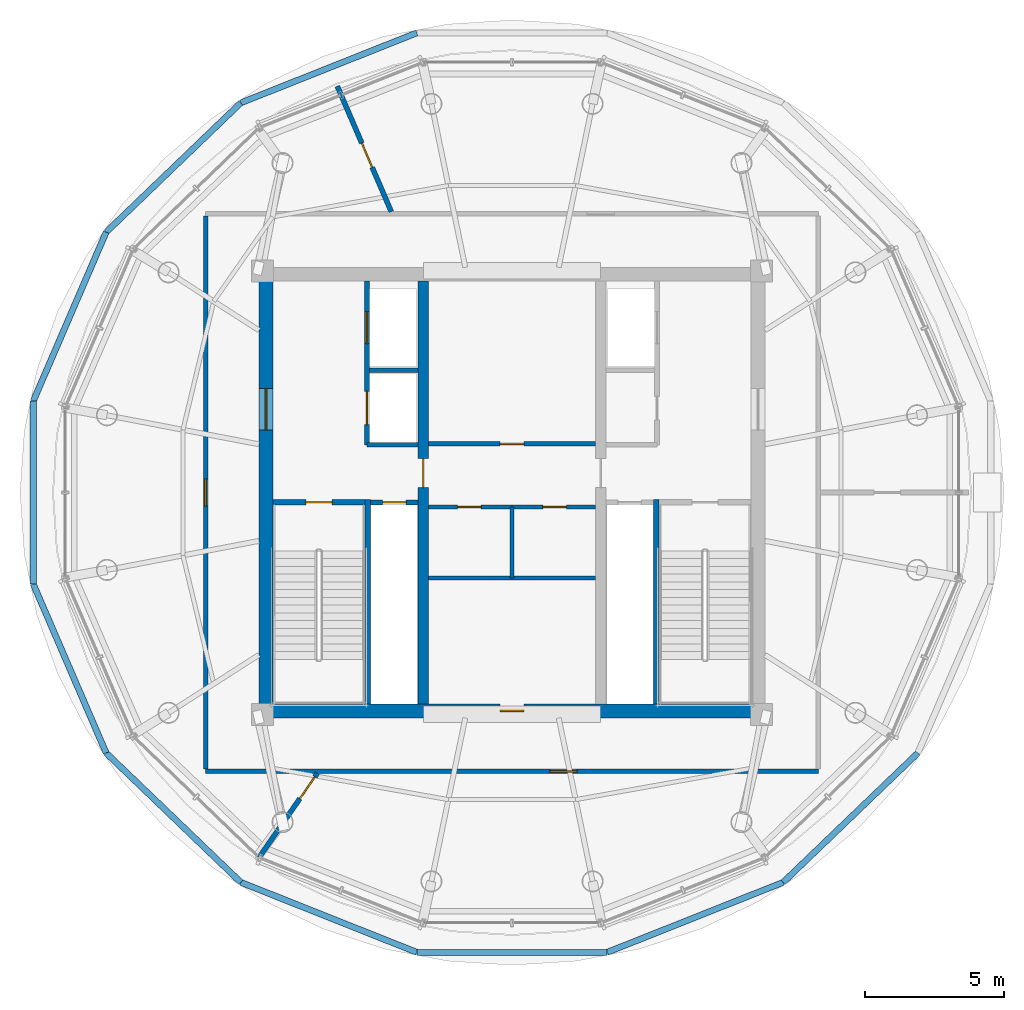
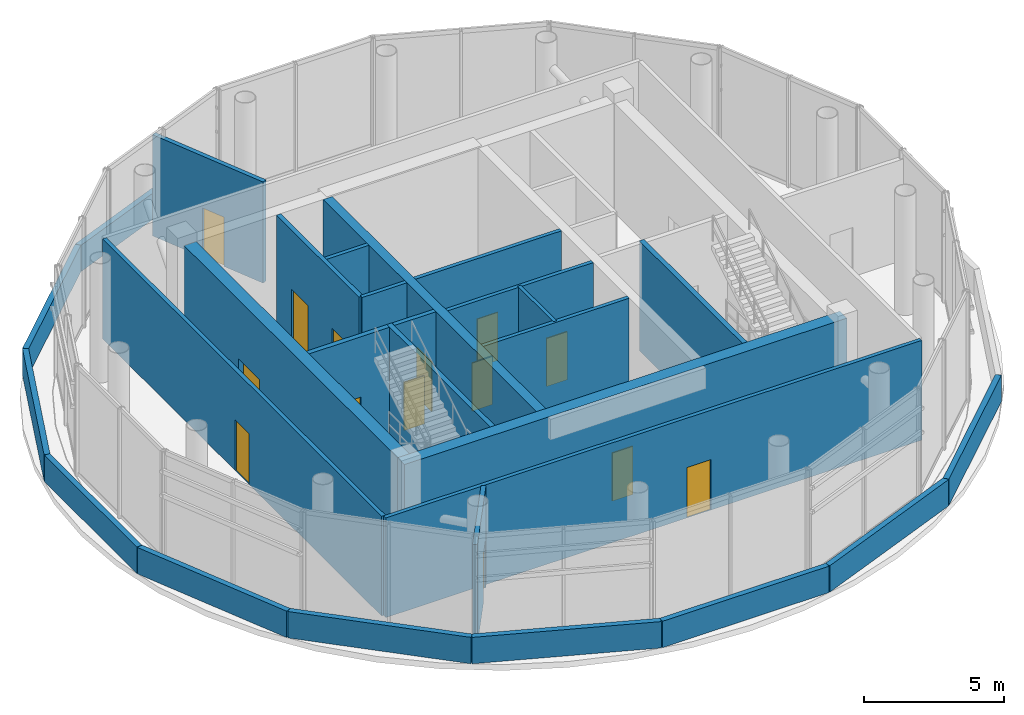
# One storey, part 10 of 14: 28 walls, 14 doors, 14 openings.
"""IFC4 building model written with IfcOpenShell, lengths in metres."""

from ifc_helpers import new_model, si_unit, direction, frame, frame_2d, origin, place, context, subcontext, project, spatial, rectangle, extrude, source, transform, mapped, material, layer, layer_set, type_object, element, fill, save


model = new_model("IFC4")

# Units and contexts
model_context = context("Model", 3, precision=1e-05, world=origin(), true_north=direction((-0.2419218956, 0.970295726276)))
body_context = subcontext(model_context, "Body", "Model", "MODEL_VIEW")
ifc_project = project(units=[si_unit("LENGTHUNIT", "METRE"), si_unit("AREAUNIT", "SQUARE_METRE"), si_unit("VOLUMEUNIT", "CUBIC_METRE"), si_unit("PLANEANGLEUNIT", "RADIAN"), si_unit("MASSUNIT", "GRAM", prefix="KILO")], contexts=[model_context])

# Site, building, storey
site_placement = place(None, origin())
site = spatial("IfcSite", under=ifc_project, at=site_placement, CompositionType="ELEMENT")
building_placement = place(site_placement, origin())
building = spatial("IfcBuilding", under=site, at=building_placement, Name="Cobrevalo Terracotta Tower", CompositionType="ELEMENT")
storey_placement = place(building_placement, frame((0.0, 0.0, 321.699951171875)))
storey = spatial("IfcBuildingStorey", under=building, at=storey_placement, Name="L83", CompositionType="ELEMENT", Elevation=321.699951171875)

# Wall, opening, door
ifc_material_1 = material(Name="Concrete C50", Category="concrete")
ifc_layer_1 = layer(ifc_material_1, 0.5)
ifc_layer_set_1 = layer_set([ifc_layer_1], Name="Concrete C50")
wall_type_1 = type_object("IfcWallType", Name="Crown core shear wall 500 mm Concrete C50", PredefinedType="SHEAR", material=ifc_layer_set_1)
wall_1_placement = place(storey_placement, frame((28.875, 18.925048828125, 0.0), z_axis=(0.0, 0.0, 1.0), x_axis=(1.0, 0.0, 0.0)))
wall_1 = element("IfcWall", 1, at=wall_1_placement, inside=storey, type_object=wall_type_1, Name="L83 south core shear wall", PredefinedType="SHEAR", context=body_context, shape_type="SweptSolid", body=[
    extrude(rectangle(XDim=18.25, YDim=0.5, at=frame_2d((9.125, 0.0))), origin(), (0.0, 0.0, 1.0), 4.780029296875),
])
opening_1_placement = place(wall_1_placement, frame((8.699951171875, 0.0, 0.0)))
opening_1 = element("IfcOpeningElement", 2, at=opening_1_placement, cuts=wall_1, Name="Opening ID-22", PredefinedType="OPENING", context=body_context, shape_type="SweptSolid", body=[
    extrude(rectangle(XDim=0.85009765625, YDim=2.10009765625, at=frame_2d((0.425048828125, 1.050048828125))), frame((0.0, 0.260009765625, 0.0), z_axis=(0.0, -1.0, 0.0), x_axis=(1.0, 0.0, 0.0)), (0.0, 0.0, 1.0), 0.52001953125),
])
ifc_material_2 = material(Name="Powder-coated steel", Category="steel")
door_type_1 = type_object("IfcDoorType", Name="Riser shaft & meter closet fire access door 850x2100 EI 60", OperationType="NOTDEFINED", PredefinedType="DOOR", material=ifc_material_2)
shared_shape_1 = source(origin(), body_context, "Body", "SweptSolid", [
    extrude(rectangle(XDim=0.85009765625, YDim=2.10009765625, at=frame_2d((0.425048828125, 1.050048828125))), frame((0.0, 0.02490234375, 0.0), z_axis=(0.0, -1.0, 0.0), x_axis=(1.0, 0.0, 0.0)), (0.0, 0.0, 1.0), 0.050048828125),
])
door_1_placement = place(opening_1_placement, origin())
door_1 = element("IfcDoor", 3, at=door_1_placement, inside=storey, type_object=door_type_1, Name="L83 core south plant door Crown Smoke Extract Fan Plant", OperationType="SINGLE_SWING_RIGHT", OverallHeight=2.10009765625, OverallWidth=0.85009765625, PredefinedType="DOOR", context=body_context, shape_type="MappedRepresentation", body=[
    mapped(shared_shape_1, transform((0.0, 0.0, 0.0), scale=1.0)),
])
fill(opening_1, door_1)

wall_2_placement = place(storey_placement, frame((29.125, 19.175048828125, 0.0), z_axis=(0.0, 0.0, 1.0), x_axis=(0.0, 1.0, 0.0)))
wall_2 = element("IfcWall", 4, at=wall_2_placement, inside=storey, type_object=wall_type_1, Name="L83 west core shear wall", PredefinedType="SHEAR", context=body_context, shape_type="SweptSolid", body=[
    extrude(rectangle(XDim=15.25, YDim=0.5, at=frame_2d((7.625, 0.0))), origin(), (0.0, 0.0, 1.0), 4.780029296875),
])
opening_2_placement = place(wall_2_placement, frame((9.875, 0.0, 0.0)))
opening_2 = element("IfcOpeningElement", 5, at=opening_2_placement, cuts=wall_2, Name="Opening ID-14", PredefinedType="OPENING", context=body_context, shape_type="SweptSolid", body=[
    extrude(rectangle(XDim=1.5, YDim=2.199951171875, at=frame_2d((0.75, 1.10009765625))), frame((0.0, 0.260009765625, 0.0), z_axis=(0.0, -1.0, 0.0), x_axis=(1.0, 0.0, 0.0)), (0.0, 0.0, 1.0), 0.52001953125),
])
ifc_material_3 = material(Name="Galvanized fire-rated steel", Category="steel")
door_type_2 = type_object("IfcDoorType", Name="Core cross-lobby double fire door 1500x2200 EI 90", OperationType="NOTDEFINED", PredefinedType="DOOR", material=ifc_material_3)
shared_shape_2 = source(origin(), body_context, "Body", "SweptSolid", [
    extrude(rectangle(XDim=1.5, YDim=2.199951171875, at=frame_2d((0.75, 1.10009765625))), frame((0.0, 0.02490234375, 0.0), z_axis=(0.0, -1.0, 0.0), x_axis=(1.0, 0.0, 0.0)), (0.0, 0.0, 1.0), 0.050048828125),
])
door_2_placement = place(opening_2_placement, origin())
door_2 = element("IfcDoor", 6, at=door_2_placement, inside=storey, type_object=door_type_2, Name="L83 west firefighting lobby entrance door", OperationType="DOUBLE_DOOR_SINGLE_SWING", OverallHeight=2.199951171875, OverallWidth=1.5, PredefinedType="DOOR", context=body_context, shape_type="MappedRepresentation", body=[
    mapped(shared_shape_2, transform((0.0, 0.0, 0.0), scale=1.0)),
])
fill(opening_2, door_2)

# Walls
ifc_material_4 = material(Name="Gypsum board on steel stud", Category="steel")
ifc_layer_2 = layer(ifc_material_4, 0.159912109375)
ifc_layer_set_2 = layer_set([ifc_layer_2], Name="Gypsum board on steel stud")
wall_type_2 = type_object("IfcWallType", Name="Fire-rated corridor acoustic partition wall 160 mm", PredefinedType="PARTITIONING", material=ifc_layer_set_2)
wall_3_placement = place(storey_placement, frame((32.860107421875, 31.219970703125, 0.0), z_axis=(0.0, 0.0, 1.0), x_axis=(1.0, 0.0, 0.0)))
element("IfcWall", 7, at=wall_3_placement, inside=storey, type_object=wall_type_2, Name="L83 interior partition IW-L83-FF1-M", PredefinedType="PARTITIONING", context=body_context, shape_type="SweptSolid", body=[
    extrude(rectangle(XDim=1.75, YDim=0.159912109375, at=frame_2d((0.875, 0.0))), origin(), (0.0, 0.0, 1.0), 4.780029296875),
])
wall_4_placement = place(storey_placement, frame((32.77001953125, 28.52001953125, 0.0), z_axis=(0.0, 0.0, 1.0), x_axis=(1.0, 0.0, 0.0)))
element("IfcWall", 8, at=wall_4_placement, inside=storey, type_object=wall_type_2, Name="L83 interior partition IW-L83-FF1-S", PredefinedType="PARTITIONING", context=body_context, shape_type="SweptSolid", body=[
    extrude(rectangle(XDim=1.840087890625, YDim=0.159912109375, at=frame_2d((0.919921875, 0.0))), origin(), (0.0, 0.0, 1.0), 4.780029296875),
])

# Wall, opening, door
wall_5_placement = place(storey_placement, frame((34.989990234375, 28.56005859375, 0.0), z_axis=(0.0, 0.0, 1.0), x_axis=(1.0, 0.0, 0.0)))
wall_5 = element("IfcWall", 9, at=wall_5_placement, inside=storey, type_object=wall_type_2, Name="L83 interior partition IW-L83-LB-S", PredefinedType="PARTITIONING", context=body_context, shape_type="SweptSolid", body=[
    extrude(rectangle(XDim=6.02001953125, YDim=0.159912109375, at=frame_2d((3.010009765625, 0.0))), origin(), (0.0, 0.0, 1.0), 4.780029296875),
])
opening_3_placement = place(wall_5_placement, frame((2.5849609375, 0.0, 0.0)))
opening_3 = element("IfcOpeningElement", 10, at=opening_3_placement, cuts=wall_5, Name="Opening ID-22", PredefinedType="OPENING", context=body_context, shape_type="SweptSolid", body=[
    extrude(rectangle(XDim=0.85009765625, YDim=2.10009765625, at=frame_2d((0.425048828125, 1.050048828125))), frame((0.0, 0.08984375, 0.0), z_axis=(0.0, -1.0, 0.0), x_axis=(1.0, 0.0, 0.0)), (0.0, 0.0, 1.0), 0.179931640625),
])
door_3_placement = place(opening_3_placement, origin())
door_3 = element("IfcDoor", 11, at=door_3_placement, inside=storey, type_object=door_type_1, Name="L83 core service door Crown HV Switchroom Plant", OperationType="SINGLE_SWING_LEFT", OverallHeight=2.10009765625, OverallWidth=0.85009765625, PredefinedType="DOOR", context=body_context, shape_type="MappedRepresentation", body=[
    mapped(shared_shape_1, transform((0.0, 0.0, 0.0), scale=1.0)),
])
fill(opening_3, door_3)

# Wall, openings, doors
wall_6_placement = place(storey_placement, frame((34.989990234375, 26.280029296875, 0.0), z_axis=(0.0, 0.0, 1.0), x_axis=(1.0, 0.0, 0.0)))
wall_6 = element("IfcWall", 12, at=wall_6_placement, inside=storey, type_object=wall_type_2, Name="L83 interior partition IW-L83-MB-N", PredefinedType="PARTITIONING", context=body_context, shape_type="SweptSolid", body=[
    extrude(rectangle(XDim=6.02001953125, YDim=0.159912109375, at=frame_2d((3.010009765625, 0.0))), origin(), (0.0, 0.0, 1.0), 4.780029296875),
])
opening_4_placement = place(wall_6_placement, frame((1.044921875, 0.0, 0.0)))
opening_4 = element("IfcOpeningElement", 13, at=opening_4_placement, cuts=wall_6, Name="Opening ID-22", PredefinedType="OPENING", context=body_context, shape_type="SweptSolid", body=[
    extrude(rectangle(XDim=0.85009765625, YDim=2.10009765625, at=frame_2d((0.425048828125, 1.050048828125))), frame((0.0, 0.08984375, 0.0), z_axis=(0.0, -1.0, 0.0), x_axis=(1.0, 0.0, 0.0)), (0.0, 0.0, 1.0), 0.179931640625),
])
opening_5_placement = place(wall_6_placement, frame((4.125, 0.0, 0.0)))
opening_5 = element("IfcOpeningElement", 14, at=opening_5_placement, cuts=wall_6, Name="Opening ID-22", PredefinedType="OPENING", context=body_context, shape_type="SweptSolid", body=[
    extrude(rectangle(XDim=0.85009765625, YDim=2.10009765625, at=frame_2d((0.425048828125, 1.050048828125))), frame((0.0, 0.08984375, 0.0), z_axis=(0.0, -1.0, 0.0), x_axis=(1.0, 0.0, 0.0)), (0.0, 0.0, 1.0), 0.179931640625),
])
door_4_placement = place(opening_4_placement, frame((0.85009765625, 0.0, 0.0), z_axis=(0.0, 0.0, 1.0), x_axis=(-1.0, 0.0, 0.0)))
door_4 = element("IfcDoor", 15, at=door_4_placement, inside=storey, type_object=door_type_1, Name="L83 core room door Crown Chilled Water Pump Plant", OperationType="SINGLE_SWING_RIGHT", OverallHeight=2.10009765625, OverallWidth=0.85009765625, PredefinedType="DOOR", context=body_context, shape_type="MappedRepresentation", body=[
    mapped(shared_shape_1, transform((0.0, 0.0, 0.0), scale=1.0)),
])
fill(opening_4, door_4)
door_5_placement = place(opening_5_placement, frame((0.85009765625, 0.0, 0.0), z_axis=(0.0, 0.0, 1.0), x_axis=(-1.0, 0.0, 0.0)))
door_5 = element("IfcDoor", 16, at=door_5_placement, inside=storey, type_object=door_type_1, Name="L83 core room door Crown Lift Motor Mechanical Plant", OperationType="SINGLE_SWING_RIGHT", OverallHeight=2.10009765625, OverallWidth=0.85009765625, PredefinedType="DOOR", context=body_context, shape_type="MappedRepresentation", body=[
    mapped(shared_shape_1, transform((0.0, 0.0, 0.0), scale=1.0)),
])
fill(opening_5, door_5)

# Wall
wall_7_placement = place(storey_placement, frame((34.989990234375, 23.719970703125, 0.0), z_axis=(0.0, 0.0, 1.0), x_axis=(1.0, 0.0, 0.0)))
element("IfcWall", 17, at=wall_7_placement, inside=storey, type_object=wall_type_2, Name="L83 interior partition IW-L83-MB-S", PredefinedType="PARTITIONING", context=body_context, shape_type="SweptSolid", body=[
    extrude(rectangle(XDim=6.02001953125, YDim=0.159912109375, at=frame_2d((3.010009765625, 0.0))), origin(), (0.0, 0.0, 1.0), 4.780029296875),
])

# Wall, opening, door
wall_8_placement = place(storey_placement, frame((26.945068359375, 16.7451171875, 0.0), z_axis=(0.0, 0.0, 1.0), x_axis=(1.0, 0.0, 0.0)))
wall_8 = element("IfcWall", 18, at=wall_8_placement, inside=storey, type_object=wall_type_2, Name="L83 interior partition IW-L83-COR-S", PredefinedType="PARTITIONING", context=body_context, shape_type="SweptSolid", body=[
    extrude(rectangle(XDim=22.10986328125, YDim=0.159912109375, at=frame_2d((11.054931640625, 0.0))), origin(), (0.0, 0.0, 1.0), 4.35205078125),
])
opening_6_placement = place(wall_8_placement, frame((12.42431640625, 0.0, 0.0)))
opening_6 = element("IfcOpeningElement", 19, at=opening_6_placement, cuts=wall_8, Name="Opening ID-05", PredefinedType="OPENING", context=body_context, shape_type="SweptSolid", body=[
    extrude(rectangle(XDim=0.97998046875, YDim=2.199951171875, at=frame_2d((0.489990234375, 1.10009765625))), frame((0.0, 0.08984375, 0.0), z_axis=(0.0, -1.0, 0.0), x_axis=(1.0, 0.0, 0.0)), (0.0, 0.0, 1.0), 0.179931640625),
])
ifc_material_5 = material(Name="Solid hardwood timber", Category="wood")
door_type_3 = type_object("IfcDoorType", Name="Residence entrance fire-rated acoustic timber door 980x2200 EI 60", OperationType="NOTDEFINED", PredefinedType="DOOR", material=ifc_material_5)
shared_shape_3 = source(origin(), body_context, "Body", "SweptSolid", [
    extrude(rectangle(XDim=0.97998046875, YDim=2.199951171875, at=frame_2d((0.489990234375, 1.10009765625))), frame((0.0, 0.02490234375, 0.0), z_axis=(0.0, -1.0, 0.0), x_axis=(1.0, 0.0, 0.0)), (0.0, 0.0, 1.0), 0.050048828125),
])
door_6_placement = place(opening_6_placement, origin())
door_6 = element("IfcDoor", 20, at=door_6_placement, inside=storey, type_object=door_type_3, Name="L83 Crown Lift Overrun Plant door", OperationType="SINGLE_SWING_RIGHT", OverallHeight=2.199951171875, OverallWidth=0.97998046875, PredefinedType="DOOR", context=body_context, shape_type="MappedRepresentation", body=[
    mapped(shared_shape_3, transform((0.0, 0.0, 0.0), scale=1.0)),
])
fill(opening_6, door_6)

wall_9_placement = place(storey_placement, frame((26.945068359375, 16.824951171875, 0.0), z_axis=(0.0, 0.0, 1.0), x_axis=(0.0, 1.0, 0.0)))
wall_9 = element("IfcWall", 21, at=wall_9_placement, inside=storey, type_object=wall_type_2, Name="L83 interior partition IW-L83-COR-W", PredefinedType="PARTITIONING", context=body_context, shape_type="SweptSolid", body=[
    extrude(rectangle(XDim=19.949951171875, YDim=0.159912109375, at=frame_2d((9.97509765625, 0.0))), origin(), (0.0, 0.0, 1.0), 4.35205078125),
])
opening_7_placement = place(wall_9_placement, frame((9.485107421875, 0.0, 0.0)))
opening_7 = element("IfcOpeningElement", 22, at=opening_7_placement, cuts=wall_9, Name="Opening ID-05", PredefinedType="OPENING", context=body_context, shape_type="SweptSolid", body=[
    extrude(rectangle(XDim=0.97998046875, YDim=2.199951171875, at=frame_2d((0.489990234375, 1.10009765625))), frame((0.0, 0.08984375, 0.0), z_axis=(0.0, -1.0, 0.0), x_axis=(1.0, 0.0, 0.0)), (0.0, 0.0, 1.0), 0.179931640625),
])
door_7_placement = place(opening_7_placement, origin())
door_7 = element("IfcDoor", 23, at=door_7_placement, inside=storey, type_object=door_type_3, Name="L83 Crown Boiler and Pump Plant door", OperationType="SINGLE_SWING_LEFT", OverallHeight=2.199951171875, OverallWidth=0.97998046875, PredefinedType="DOOR", context=body_context, shape_type="MappedRepresentation", body=[
    mapped(shared_shape_3, transform((0.0, 0.0, 0.0), scale=1.0)),
])
fill(opening_7, door_7)

ifc_layer_3 = layer(ifc_material_4, 0.179931640625)
ifc_layer_set_3 = layer_set([ifc_layer_3], Name="Gypsum board on steel stud")
wall_type_3 = type_object("IfcWallType", Name="Fire-rated shaft & lobby acoustic partition wall 180 mm", PredefinedType="PARTITIONING", material=ifc_layer_set_3)
wall_10_placement = place(storey_placement, frame((32.89990234375, 26.449951171875, 0.0), z_axis=(0.0, 0.0, 1.0), x_axis=(1.0, 0.0, 0.0)))
wall_10 = element("IfcWall", 24, at=wall_10_placement, inside=storey, type_object=wall_type_3, Name="L83 interior partition IW-L83-RSW-N", PredefinedType="PARTITIONING", context=body_context, shape_type="SweptSolid", body=[
    extrude(rectangle(XDim=1.710205078125, YDim=0.179931640625, at=frame_2d((0.85498046875, 0.0))), origin(), (0.0, 0.0, 1.0), 4.780029296875),
])
opening_8_placement = place(wall_10_placement, frame((0.429931640625, 0.0, 0.0)))
opening_8 = element("IfcOpeningElement", 25, at=opening_8_placement, cuts=wall_10, Name="Opening ID-22", PredefinedType="OPENING", context=body_context, shape_type="SweptSolid", body=[
    extrude(rectangle(XDim=0.85009765625, YDim=2.10009765625, at=frame_2d((0.425048828125, 1.050048828125))), frame((0.0, 0.10009765625, 0.0), z_axis=(0.0, -1.0, 0.0), x_axis=(1.0, 0.0, 0.0)), (0.0, 0.0, 1.0), 0.199951171875),
])
door_8_placement = place(opening_8_placement, origin())
door_8 = element("IfcDoor", 26, at=door_8_placement, inside=storey, type_object=door_type_1, Name="L83 riser access door RSW", OperationType="SINGLE_SWING_LEFT", OverallHeight=2.10009765625, OverallWidth=0.85009765625, PredefinedType="DOOR", context=body_context, shape_type="MappedRepresentation", body=[
    mapped(shared_shape_1, transform((0.0, 0.0, 0.0), scale=1.0)),
])
fill(opening_8, door_8)

# Wall, openings, doors
wall_11_placement = place(storey_placement, frame((32.77001953125, 28.52001953125, 0.0), z_axis=(0.0, 0.0, 1.0), x_axis=(0.0, 1.0, 0.0)))
wall_11 = element("IfcWall", 27, at=wall_11_placement, inside=storey, type_object=wall_type_3, Name="L83 interior partition IW-L83-FF1-W", PredefinedType="PARTITIONING", context=body_context, shape_type="SweptSolid", body=[
    extrude(rectangle(XDim=5.905029296875, YDim=0.179931640625, at=frame_2d((2.95263671875, 0.0))), origin(), (0.0, 0.0, 1.0), 4.780029296875),
])
opening_9_placement = place(wall_11_placement, frame((3.655029296875, 0.0, 0.0)))
opening_9 = element("IfcOpeningElement", 28, at=opening_9_placement, cuts=wall_11, Name="Opening LD-02", PredefinedType="OPENING", context=body_context, shape_type="SweptSolid", body=[
    extrude(rectangle(XDim=1.14990234375, YDim=2.199951171875, at=frame_2d((0.574951171875, 1.10009765625))), frame((0.0, 0.10009765625, 0.0), z_axis=(0.0, -1.0, 0.0), x_axis=(1.0, 0.0, 0.0)), (0.0, 0.0, 1.0), 0.199951171875),
])
opening_10_placement = place(wall_11_placement, frame((0.72998046875, 0.0, 0.0)))
opening_10 = element("IfcOpeningElement", 29, at=opening_10_placement, cuts=wall_11, Name="Opening LD-03", PredefinedType="OPENING", context=body_context, shape_type="SweptSolid", body=[
    extrude(rectangle(XDim=1.199951171875, YDim=2.25, at=frame_2d((0.60009765625, 1.125))), frame((0.0, 0.10009765625, 0.0), z_axis=(0.0, -1.0, 0.0), x_axis=(1.0, 0.0, 0.0)), (0.0, 0.0, 1.0), 0.199951171875),
])
ifc_material_6 = material(Name="Brushed stainless steel", Category="steel")
door_type_4 = type_object("IfcDoorType", Name="Firefighting lift landing bi-parting sliding door 1150x2200 EI 120", OperationType="DOUBLE_DOOR_SLIDING", PredefinedType="DOOR", material=ifc_material_6)
shared_shape_4 = source(origin(), body_context, "Body", "SweptSolid", [
    extrude(rectangle(XDim=1.14990234375, YDim=2.199951171875, at=frame_2d((0.574951171875, 1.10009765625))), frame((0.0, 0.02490234375, 0.0), z_axis=(0.0, -1.0, 0.0), x_axis=(1.0, 0.0, 0.0)), (0.0, 0.0, 1.0), 0.050048828125),
])
door_9_placement = place(opening_9_placement, origin())
door_9 = element("IfcDoor", 30, at=door_9_placement, inside=storey, type_object=door_type_4, Name="L83 lift landing door FF-1", OperationType="DOUBLE_DOOR_SLIDING", OverallHeight=2.199951171875, OverallWidth=1.14990234375, PredefinedType="DOOR", context=body_context, shape_type="MappedRepresentation", body=[
    mapped(shared_shape_4, transform((0.0, 0.0, 0.0), scale=1.0)),
])
fill(opening_9, door_9)
door_type_5 = type_object("IfcDoorType", Name="Service lift landing bi-parting sliding door 1200x2250 EI 120", OperationType="DOUBLE_DOOR_SLIDING", PredefinedType="DOOR", material=ifc_material_6)
shared_shape_5 = source(origin(), body_context, "Body", "SweptSolid", [
    extrude(rectangle(XDim=1.199951171875, YDim=2.25, at=frame_2d((0.60009765625, 1.125))), frame((0.0, 0.02490234375, 0.0), z_axis=(0.0, -1.0, 0.0), x_axis=(1.0, 0.0, 0.0)), (0.0, 0.0, 1.0), 0.050048828125),
])
door_10_placement = place(opening_10_placement, origin())
door_10 = element("IfcDoor", 31, at=door_10_placement, inside=storey, type_object=door_type_5, Name="L83 lift landing door SV-1", OperationType="DOUBLE_DOOR_SLIDING", OverallHeight=2.25, OverallWidth=1.199951171875, PredefinedType="DOOR", context=body_context, shape_type="MappedRepresentation", body=[
    mapped(shared_shape_5, transform((0.0, 0.0, 0.0), scale=1.0)),
])
fill(opening_10, door_10)

# Wall, opening, door
wall_12_placement = place(storey_placement, frame((33.645263671875, 36.931884765625, 0.0), z_axis=(0.0, 0.0, 1.0), x_axis=(-0.394839297391, 0.918750199584, 0.0)))
wall_12 = element("IfcWall", 32, at=wall_12_placement, inside=storey, type_object=wall_type_3, Name="L83 interior partition IW-L83-CW2", PredefinedType="PARTITIONING", context=body_context, shape_type="SweptSolid", body=[
    extrude(rectangle(XDim=4.93115234375, YDim=0.179931640625, at=frame_2d((2.465576171875, 0.0))), origin(), (0.0, 0.0, 1.0), 4.4111328125),
])
opening_11_placement = place(wall_12_placement, frame((1.743896484375, 0.0, 0.0)))
opening_11 = element("IfcOpeningElement", 33, at=opening_11_placement, cuts=wall_12, Name="Opening ID-04", PredefinedType="OPENING", context=body_context, shape_type="SweptSolid", body=[
    extrude(rectangle(XDim=0.949951171875, YDim=2.14990234375, at=frame_2d((0.47509765625, 1.074951171875))), frame((0.0, 0.10009765625, 0.0), z_axis=(0.0, -1.0, 0.0), x_axis=(1.0, 0.0, 0.0)), (0.0, 0.0, 1.0), 0.199951171875),
])
door_type_6 = type_object("IfcDoorType", Name="Stair & firefighting lobby fire door 950x2150 EI 90", OperationType="NOTDEFINED", PredefinedType="DOOR", material=ifc_material_3)
shared_shape_6 = source(origin(), body_context, "Body", "SweptSolid", [
    extrude(rectangle(XDim=0.949951171875, YDim=2.14990234375, at=frame_2d((0.47509765625, 1.074951171875))), frame((0.0, 0.02490234375, 0.0), z_axis=(0.0, -1.0, 0.0), x_axis=(1.0, 0.0, 0.0)), (0.0, 0.0, 1.0), 0.050048828125),
])
door_11_placement = place(opening_11_placement, origin())
door_11 = element("IfcDoor", 34, at=door_11_placement, inside=storey, type_object=door_type_6, Name="L83 crown plant interconnecting fire door 2", OperationType="SINGLE_SWING_LEFT", OverallHeight=2.14990234375, OverallWidth=0.949951171875, PredefinedType="DOOR", context=body_context, shape_type="MappedRepresentation", body=[
    mapped(shared_shape_6, transform((0.0, 0.0, 0.0), scale=1.0)),
])
fill(opening_11, door_11)

wall_13_placement = place(storey_placement, frame((30.9794921875, 16.674072265625, 0.0), z_axis=(0.0, 0.0, 1.0), x_axis=(-0.569738046405, -0.82182635543, 0.0)))
wall_13 = element("IfcWall", 35, at=wall_13_placement, inside=storey, type_object=wall_type_3, Name="L83 interior partition IW-L83-CW3", PredefinedType="PARTITIONING", context=body_context, shape_type="SweptSolid", body=[
    extrude(rectangle(XDim=3.701416015625, YDim=0.179931640625, at=frame_2d((1.8505859375, 0.0))), origin(), (0.0, 0.0, 1.0), 4.35205078125),
])
opening_12_placement = place(wall_13_placement, frame((0.159912109375, 0.0, 0.0)))
opening_12 = element("IfcOpeningElement", 36, at=opening_12_placement, cuts=wall_13, Name="Opening ID-04", PredefinedType="OPENING", context=body_context, shape_type="SweptSolid", body=[
    extrude(rectangle(XDim=0.949951171875, YDim=2.14990234375, at=frame_2d((0.47509765625, 1.074951171875))), frame((0.0, 0.10009765625, 0.0), z_axis=(0.0, -1.0, 0.0), x_axis=(1.0, 0.0, 0.0)), (0.0, 0.0, 1.0), 0.199951171875),
])
door_12_placement = place(opening_12_placement, origin())
door_12 = element("IfcDoor", 37, at=door_12_placement, inside=storey, type_object=door_type_6, Name="L83 crown plant interconnecting fire door 3", OperationType="SINGLE_SWING_LEFT", OverallHeight=2.14990234375, OverallWidth=0.949951171875, PredefinedType="DOOR", context=body_context, shape_type="MappedRepresentation", body=[
    mapped(shared_shape_6, transform((0.0, 0.0, 0.0), scale=1.0)),
])
fill(opening_12, door_12)

ifc_layer_4 = layer(ifc_material_1, 0.3798828125)
ifc_layer_set_4 = layer_set([ifc_layer_4], Name="Concrete C50")
wall_type_4 = type_object("IfcWallType", Name="Internal core shear web wall 380 mm Concrete C50", PredefinedType="SHEAR", material=ifc_layer_set_4)
wall_14_placement = place(storey_placement, frame((34.800048828125, 19.175048828125, 0.0), z_axis=(0.0, 0.0, 1.0), x_axis=(0.0, 1.0, 0.0)))
wall_14 = element("IfcWall", 38, at=wall_14_placement, inside=storey, type_object=wall_type_4, Name="L83 internal core shear wall WEB-W", PredefinedType="SHEAR", context=body_context, shape_type="SweptSolid", body=[
    extrude(rectangle(XDim=15.25, YDim=0.3798828125, at=frame_2d((7.625, 0.0))), origin(), (0.0, 0.0, 1.0), 4.780029296875),
])
opening_13_placement = place(wall_14_placement, frame((7.800048828125, 0.0, 0.0)))
opening_13 = element("IfcOpeningElement", 39, at=opening_13_placement, cuts=wall_14, Name="Opening ID-11", PredefinedType="OPENING", context=body_context, shape_type="SweptSolid", body=[
    extrude(rectangle(XDim=1.050048828125, YDim=2.14990234375, at=frame_2d((0.52490234375, 1.074951171875))), frame((0.0, 0.199951171875, 0.0), z_axis=(0.0, -1.0, 0.0), x_axis=(1.0, 0.0, 0.0)), (0.0, 0.0, 1.0), 0.39990234375),
])
door_type_7 = type_object("IfcDoorType", Name="Core concourse cross fire door 1050x2150 EI 90", OperationType="NOTDEFINED", PredefinedType="DOOR", material=ifc_material_3)
shared_shape_7 = source(origin(), body_context, "Body", "SweptSolid", [
    extrude(rectangle(XDim=1.050048828125, YDim=2.14990234375, at=frame_2d((0.52490234375, 1.074951171875))), frame((0.0, 0.02490234375, 0.0), z_axis=(0.0, -1.0, 0.0), x_axis=(1.0, 0.0, 0.0)), (0.0, 0.0, 1.0), 0.050048828125),
])
door_13_placement = place(opening_13_placement, origin())
door_13 = element("IfcDoor", 40, at=door_13_placement, inside=storey, type_object=door_type_7, Name="L83 west core concourse cross door", OperationType="SINGLE_SWING_LEFT", OverallHeight=2.14990234375, OverallWidth=1.050048828125, PredefinedType="DOOR", context=body_context, shape_type="MappedRepresentation", body=[
    mapped(shared_shape_7, transform((0.0, 0.0, 0.0), scale=1.0)),
])
fill(opening_13, door_13)

# Walls
ifc_material_7 = material(Name="Autoclaved aerated concrete block", Category="concrete")
ifc_layer_5 = layer(ifc_material_7, 0.139892578125)
ifc_layer_set_5 = layer_set([ifc_layer_5], Name="Autoclaved aerated concrete block")
wall_type_5 = type_object("IfcWallType", Name="Moisture-resistant wet-room & core service partition 140 mm", PredefinedType="PARTITIONING", material=ifc_layer_set_5)
wall_15_placement = place(storey_placement, frame((38.0, 23.719970703125, 0.0), z_axis=(0.0, 0.0, 1.0), x_axis=(0.0, 1.0, 0.0)))
element("IfcWall", 41, at=wall_15_placement, inside=storey, type_object=wall_type_5, Name="L83 interior partition IW-L83-MB-D2", PredefinedType="PARTITIONING", context=body_context, shape_type="SweptSolid", body=[
    extrude(rectangle(XDim=2.56005859375, YDim=0.139892578125, at=frame_2d((1.280029296875, 0.0))), origin(), (0.0, 0.0, 1.0), 4.780029296875),
])
ifc_material_8 = material(Name="Precast concrete C45", Category="concrete")
ifc_layer_6 = layer(ifc_material_8, 0.219970703125)
ifc_layer_set_6 = layer_set([ifc_layer_6], Name="Precast concrete C45")
wall_type_6 = type_object("IfcWallType", Name="Precast concrete roof and setback terrace parapet wall 220 mm", PredefinedType="PARAPET", material=ifc_layer_set_6)
wall_16_placement = place(storey_placement, frame((34.564453125, 43.385009765625, 0.0), z_axis=(0.0, 0.0, 1.0), x_axis=(-0.929199495848, -0.369578539576, 0.0)))
element("IfcWall", 42, at=wall_16_placement, inside=storey, type_object=wall_type_6, Name="L83 crown step-back parapet 05", PredefinedType="PARAPET", context=body_context, shape_type="SweptSolid", body=[
    extrude(rectangle(XDim=6.831787109375, YDim=0.219970703125, at=frame_2d((3.416015625, 0.0))), origin(), (0.0, 0.0, 1.0), 1.150146484375),
])
wall_17_placement = place(storey_placement, frame((28.21630859375, 40.860107421875, 0.0), z_axis=(0.0, 0.0, 1.0), x_axis=(-0.721278667214, -0.69264499148, 0.0)))
element("IfcWall", 43, at=wall_17_placement, inside=storey, type_object=wall_type_6, Name="L83 crown step-back parapet 06", PredefinedType="PARAPET", context=body_context, shape_type="SweptSolid", body=[
    extrude(rectangle(XDim=6.73583984375, YDim=0.219970703125, at=frame_2d((3.367919921875, 0.0))), origin(), (0.0, 0.0, 1.0), 1.150146484375),
])
wall_18_placement = place(storey_placement, frame((23.35791015625, 36.194580078125, 0.0), z_axis=(0.0, 0.0, 1.0), x_axis=(-0.396106310231, -0.918204656378, 0.0)))
element("IfcWall", 44, at=wall_18_placement, inside=storey, type_object=wall_type_6, Name="L83 crown step-back parapet 07", PredefinedType="PARAPET", context=body_context, shape_type="SweptSolid", body=[
    extrude(rectangle(XDim=6.638671875, YDim=0.219970703125, at=frame_2d((3.3193359375, 0.0))), origin(), (0.0, 0.0, 1.0), 1.150146484375),
])
wall_19_placement = place(storey_placement, frame((20.728271484375, 30.098876953125, 0.0), z_axis=(0.0, 0.0, 1.0), x_axis=(0.0, -1.0, 0.0)))
element("IfcWall", 45, at=wall_19_placement, inside=storey, type_object=wall_type_6, Name="L83 crown step-back parapet 08", PredefinedType="PARAPET", context=body_context, shape_type="SweptSolid", body=[
    extrude(rectangle(XDim=6.597900390625, YDim=0.219970703125, at=frame_2d((3.298828125, 0.0))), origin(), (0.0, 0.0, 1.0), 1.150146484375),
])
wall_20_placement = place(storey_placement, frame((20.728271484375, 23.5009765625, 0.0), z_axis=(0.0, 0.0, 1.0), x_axis=(0.396106310231, -0.918204656378, 0.0)))
element("IfcWall", 46, at=wall_20_placement, inside=storey, type_object=wall_type_6, Name="L83 crown step-back parapet 09", PredefinedType="PARAPET", context=body_context, shape_type="SweptSolid", body=[
    extrude(rectangle(XDim=6.638671875, YDim=0.219970703125, at=frame_2d((3.3193359375, 0.0))), origin(), (0.0, 0.0, 1.0), 1.150146484375),
])
wall_21_placement = place(storey_placement, frame((23.35791015625, 17.4052734375, 0.0), z_axis=(0.0, 0.0, 1.0), x_axis=(0.721278667214, -0.69264499148, 0.0)))
element("IfcWall", 47, at=wall_21_placement, inside=storey, type_object=wall_type_6, Name="L83 crown step-back parapet 10", PredefinedType="PARAPET", context=body_context, shape_type="SweptSolid", body=[
    extrude(rectangle(XDim=6.73583984375, YDim=0.219970703125, at=frame_2d((3.367919921875, 0.0))), origin(), (0.0, 0.0, 1.0), 1.150146484375),
])
wall_22_placement = place(storey_placement, frame((28.21630859375, 12.73974609375, 0.0), z_axis=(0.0, 0.0, 1.0), x_axis=(0.929199495848, -0.369578539576, 0.0)))
element("IfcWall", 48, at=wall_22_placement, inside=storey, type_object=wall_type_6, Name="L83 crown step-back parapet 11", PredefinedType="PARAPET", context=body_context, shape_type="SweptSolid", body=[
    extrude(rectangle(XDim=6.831787109375, YDim=0.219970703125, at=frame_2d((3.416015625, 0.0))), origin(), (0.0, 0.0, 1.0), 1.150146484375),
])
wall_23_placement = place(storey_placement, frame((34.564453125, 10.21484375, 0.0), z_axis=(0.0, 0.0, 1.0), x_axis=(1.0, 0.0, 0.0)))
element("IfcWall", 49, at=wall_23_placement, inside=storey, type_object=wall_type_6, Name="L83 crown step-back parapet 12", PredefinedType="PARAPET", context=body_context, shape_type="SweptSolid", body=[
    extrude(rectangle(XDim=6.87109375, YDim=0.219970703125, at=frame_2d((3.435546875, 0.0))), origin(), (0.0, 0.0, 1.0), 1.150146484375),
])
wall_24_placement = place(storey_placement, frame((41.435546875, 10.21484375, 0.0), z_axis=(0.0, 0.0, 1.0), x_axis=(0.929199495848, 0.369578539576, 0.0)))
element("IfcWall", 50, at=wall_24_placement, inside=storey, type_object=wall_type_6, Name="L83 crown step-back parapet 13", PredefinedType="PARAPET", context=body_context, shape_type="SweptSolid", body=[
    extrude(rectangle(XDim=6.831787109375, YDim=0.219970703125, at=frame_2d((3.416015625, 0.0))), origin(), (0.0, 0.0, 1.0), 1.150146484375),
])
wall_25_placement = place(storey_placement, frame((47.78369140625, 12.73974609375, 0.0), z_axis=(0.0, 0.0, 1.0), x_axis=(0.721278667214, 0.69264499148, 0.0)))
element("IfcWall", 51, at=wall_25_placement, inside=storey, type_object=wall_type_6, Name="L83 crown step-back parapet 14", PredefinedType="PARAPET", context=body_context, shape_type="SweptSolid", body=[
    extrude(rectangle(XDim=6.73583984375, YDim=0.219970703125, at=frame_2d((3.367919921875, 0.0))), origin(), (0.0, 0.0, 1.0), 1.150146484375),
])
ifc_layer_7 = layer(ifc_material_1, 0.199951171875)
ifc_layer_set_7 = layer_set([ifc_layer_7], Name="Concrete C50")
wall_type_7 = type_object("IfcWallType", Name="Structural core & podium stair-shaft RC wall 200 mm Concrete C50", PredefinedType="SOLIDWALL", material=ifc_layer_set_7)
wall_26_placement = place(storey_placement, frame((32.794921875, 19.175048828125, 0.0), z_axis=(0.0, 0.0, 1.0), x_axis=(0.0, 1.0, 0.0)))
element("IfcWall", 52, at=wall_26_placement, inside=storey, type_object=wall_type_7, Name="L83 ST-1 east structural shaft wall", PredefinedType="SOLIDWALL", context=body_context, shape_type="SweptSolid", body=[
    extrude(rectangle(XDim=7.375, YDim=0.199951171875, at=frame_2d((3.6875, 0.0))), origin(), (0.0, 0.0, 1.0), 4.780029296875),
])

# Wall, opening, door
wall_27_placement = place(storey_placement, frame((29.375, 26.449951171875, 0.0), z_axis=(0.0, 0.0, 1.0), x_axis=(1.0, 0.0, 0.0)))
wall_27 = element("IfcWall", 53, at=wall_27_placement, inside=storey, type_object=wall_type_7, Name="L83 ST-1 north structural shaft wall", PredefinedType="SOLIDWALL", context=body_context, shape_type="SweptSolid", body=[
    extrude(rectangle(XDim=3.320068359375, YDim=0.199951171875, at=frame_2d((1.66015625, 0.0))), origin(), (0.0, 0.0, 1.0), 4.780029296875),
])
opening_14_placement = place(wall_27_placement, frame((1.18505859375, 0.0, 0.0)))
opening_14 = element("IfcOpeningElement", 54, at=opening_14_placement, cuts=wall_27, Name="Opening ID-04", PredefinedType="OPENING", context=body_context, shape_type="SweptSolid", body=[
    extrude(rectangle(XDim=0.949951171875, YDim=2.14990234375, at=frame_2d((0.47509765625, 1.074951171875))), frame((0.0, 0.10986328125, 0.0), z_axis=(0.0, -1.0, 0.0), x_axis=(1.0, 0.0, 0.0)), (0.0, 0.0, 1.0), 0.219970703125),
])
door_14_placement = place(opening_14_placement, origin())
door_14 = element("IfcDoor", 55, at=door_14_placement, inside=storey, type_object=door_type_6, Name="L83 protected stair ST1 fire door", OperationType="SINGLE_SWING_LEFT", OverallHeight=2.14990234375, OverallWidth=0.949951171875, PredefinedType="DOOR", context=body_context, shape_type="MappedRepresentation", body=[
    mapped(shared_shape_6, transform((0.0, 0.0, 0.0), scale=1.0)),
])
fill(opening_14, door_14)

# Wall
wall_28_placement = place(storey_placement, frame((43.205078125, 19.175048828125, 0.0), z_axis=(0.0, 0.0, 1.0), x_axis=(0.0, 1.0, 0.0)))
element("IfcWall", 56, at=wall_28_placement, inside=storey, type_object=wall_type_7, Name="L83 ST-2 west structural shaft wall", PredefinedType="SOLIDWALL", context=body_context, shape_type="SweptSolid", body=[
    extrude(rectangle(XDim=7.375, YDim=0.199951171875, at=frame_2d((3.6875, 0.0))), origin(), (0.0, 0.0, 1.0), 4.780029296875),
])

save(model, "model.ifc")
